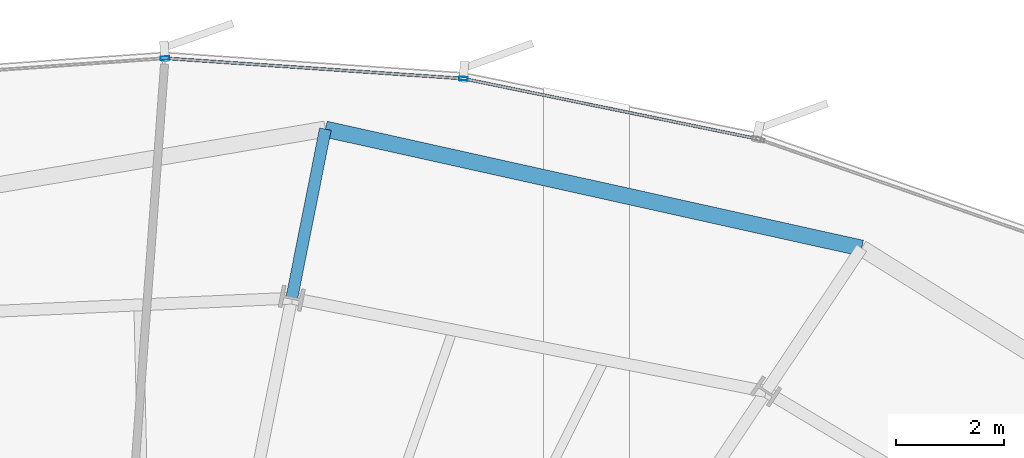
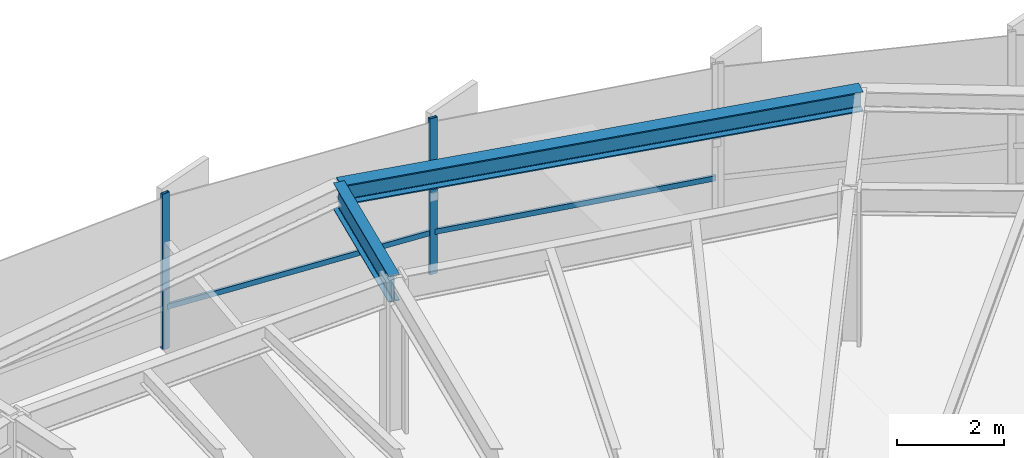
# One storey, part 27 of 38: 4 members, 2 beams, 1 element without a shape of its own.
"""IFC4 building model written with IfcOpenShell, lengths in metres."""

from ifc_helpers import new_model, si_unit, direction, frame, origin, origin_2d, place, context, subcontext, project, spatial, hollow_rectangle, i_section, extrude, source, transform, mapped, material, layer, layer_set, material_profile, profile_set, type_object, element, aggregate, save


model = new_model("IFC4")

# Units and contexts
model_context = context("Model", 3, precision=1e-05, world=origin(), true_north=direction((0.0, 1.0)))
body_context = subcontext(model_context, "Body", "Model", "MODEL_VIEW")
ifc_project = project(units=[si_unit("LENGTHUNIT", "METRE"), si_unit("AREAUNIT", "SQUARE_METRE"), si_unit("VOLUMEUNIT", "CUBIC_METRE"), si_unit("PLANEANGLEUNIT", "RADIAN"), si_unit("MASSUNIT", "GRAM", prefix="KILO"), si_unit("THERMODYNAMICTEMPERATUREUNIT", "KELVIN")], contexts=[model_context])

# Site, building, storey
site_placement = place(None, origin())
site = spatial("IfcSite", under=ifc_project, at=site_placement, CompositionType="ELEMENT")
building_placement = place(site_placement, origin())
building = spatial("IfcBuilding", under=site, at=building_placement, Name="Kethvar Cultural Tower", CompositionType="ELEMENT")
storey_placement = place(building_placement, frame((0.0, 0.0, 63.800048828125)))
storey = spatial("IfcBuildingStorey", under=building, at=storey_placement, Name="L15", CompositionType="ELEMENT", Elevation=63.800048828125)

# Beams
ifc_material_1 = material(Name="Steel S355J2", Category="steel")
ifc_material_profile_1 = material_profile(ifc_material_1, i_section(OverallWidth=0.219970703125, OverallDepth=0.60009765625, WebThickness=0.011962890625, FlangeThickness=0.01904296875, FilletRadius=0.02392578125, at=origin_2d()), Name="Steel S355J2 — IPE600")
ifc_profile_set_1 = profile_set([ifc_material_profile_1], Name="Steel S355J2 — IPE600")
beam_type_1 = type_object("IfcBeamType", Name="BM-IPE600", PredefinedType="BEAM", material=ifc_profile_set_1)
shared_shape_1 = source(origin(), body_context, "Body", "SweptSolid", [
    extrude(i_section(OverallWidth=0.219970703125, OverallDepth=0.60009765625, WebThickness=0.011962890625, FlangeThickness=0.01904296875, FilletRadius=0.02392578125, at=origin_2d()), origin(), (0.0, 0.0, 1.0), 3.199951171875),
])
beam_1_placement = place(storey_placement, frame((51.022216796875, 49.02587890625, 3.248046875), z_axis=(0.195088965533, 0.980785550224, 0.0), x_axis=(-0.980785550224, 0.195088965533, 0.0)))
element("IfcBeam", 1, at=beam_1_placement, inside=storey, type_object=beam_type_1, Name="L15 Perimeter Cantilever Beam RC-04", PredefinedType="BEAM", context=body_context, shape_type="MappedRepresentation", body=[
    mapped(shared_shape_1, transform((0.0, 0.0, 0.0), scale=1.0)),
])
ifc_material_profile_2 = material_profile(ifc_material_1, i_section(OverallWidth=0.300048828125, OverallDepth=0.449951171875, WebThickness=0.013916015625, FlangeThickness=0.02587890625, FilletRadius=0.027099609375, at=origin_2d()), Name="Steel S355J2 — HEB450")
ifc_profile_set_2 = profile_set([ifc_material_profile_2], Name="Steel S355J2 — HEB450")
beam_type_2 = type_object("IfcBeamType", Name="BM-SP450", PredefinedType="SPANDREL", material=ifc_profile_set_2)
shared_shape_2 = source(origin(), body_context, "Body", "SweptSolid", [
    extrude(i_section(OverallWidth=0.300048828125, OverallDepth=0.449951171875, WebThickness=0.013916015625, FlangeThickness=0.02587890625, FilletRadius=0.027099609375, at=origin_2d()), origin(), (0.0, 0.0, 1.0), 10.19873046875),
])
beam_2_placement = place(storey_placement, frame((61.602783203125, 49.9541015625, 3.322998046875), z_axis=(-0.976234913358, 0.216715006268, 0.0), x_axis=(-0.216715006268, -0.976234913358, 0.0)))
element("IfcBeam", 2, at=beam_2_placement, inside=storey, type_object=beam_type_2, Name="L15 Perimeter Spandrel Beam SP-03", PredefinedType="SPANDREL", context=body_context, shape_type="MappedRepresentation", body=[
    mapped(shared_shape_2, transform((0.0, 0.0, 0.0), scale=1.0)),
])

# Curtain wall, members
ifc_material_2 = material(Name="Aluminium 6063-T6", Category="aluminium")
ifc_layer = layer(ifc_material_2, 0.179931640625, Name="Aluminium 6063-T6", Category="aluminium")
ifc_layer_set = layer_set([ifc_layer], Name="Aluminium 6063-T6 (180 mm)")
curtain_wall_type = type_object("IfcCurtainWallType", Name="CW-SYS-02-Z1", PredefinedType="NOTDEFINED", material=ifc_layer_set)
curtain_wall_placement = place(storey_placement, origin())
curtain_wall = element("IfcCurtainWall", 3, at=curtain_wall_placement, inside=storey, type_object=curtain_wall_type, Name="L15 Curtain Wall Run 02", PredefinedType="NOTDEFINED")
ifc_material_profile_3 = material_profile(ifc_material_2, hollow_rectangle(XDim=0.06494140625, YDim=0.159912109375, WallThickness=0.0048828125, at=origin_2d()), Name="Aluminium 6063-T6 — RHS160x65x5")
ifc_profile_set_3 = profile_set([ifc_material_profile_3], Name="Aluminium 6063-T6 — RHS160x65x5")
member_type_1 = type_object("IfcMemberType", Name="CW-SYS-02-Z1-MUL", PredefinedType="MULLION", material=ifc_profile_set_3)
shared_shape_3 = source(origin(), body_context, "Body", "SweptSolid", [
    extrude(hollow_rectangle(XDim=0.06494140625, YDim=0.159912109375, WallThickness=0.0048828125, at=origin_2d()), origin(), (0.0, 0.0, 1.0), 3.550048828125),
])
member_1_placement = place(storey_placement, frame((54.209716796875, 53.10205078125, 0.0), z_axis=(0.0, 0.0, 1.0), x_axis=(-0.068015290665, -0.997684278836, 0.0)))
member_1 = element("IfcMember", 4, at=member_1_placement, type_object=member_type_1, Name="CW-L15-R02 Mullion 2", PredefinedType="MULLION", context=body_context, shape_type="MappedRepresentation", body=[
    mapped(shared_shape_3, transform((0.0, 0.0, 0.0), scale=1.0)),
])
member_2_placement = place(storey_placement, frame((48.6689453125, 53.48095703125, 0.0), z_axis=(0.0, 0.0, 1.0), x_axis=(0.070243967156, -0.997529841698, 0.0)))
member_2 = element("IfcMember", 5, at=member_2_placement, type_object=member_type_1, Name="CW-L15-R02 Mullion 3", PredefinedType="MULLION", context=body_context, shape_type="MappedRepresentation", body=[
    mapped(shared_shape_3, transform((0.0, 0.0, 0.0), scale=1.0)),
])
ifc_material_profile_4 = material_profile(ifc_material_2, hollow_rectangle(XDim=0.054931640625, YDim=0.1201171875, WallThickness=0.00390625, at=origin_2d()), Name="Aluminium 6063-T6 — RHS120x55x4")
ifc_profile_set_4 = profile_set([ifc_material_profile_4], Name="Aluminium 6063-T6 — RHS120x55x4")
member_type_2 = type_object("IfcMemberType", Name="CW-SYS-02-Z1-TRN", PredefinedType="USERDEFINED", material=ifc_profile_set_4)
shared_shape_4 = source(origin(), body_context, "Body", "SweptSolid", [
    extrude(hollow_rectangle(XDim=0.054931640625, YDim=0.1201171875, WallThickness=0.00390625, at=origin_2d()), origin(), (0.0, 0.0, 1.0), 5.52294921875),
])
member_3_placement = place(storey_placement, frame((59.650146484375, 51.986328125, 0.949951171875), z_axis=(-0.979655321702, 0.2006874452, 0.0), x_axis=(-0.2006874452, -0.979655321702, 0.0)))
member_3 = element("IfcMember", 6, at=member_3_placement, type_object=member_type_2, Name="CW-L15-R02 Transom 1", ObjectType="TRANSOM", PredefinedType="USERDEFINED", context=body_context, shape_type="MappedRepresentation", body=[
    mapped(shared_shape_4, transform((0.0, 0.0, 0.0), scale=1.0)),
])
shared_shape_5 = source(origin(), body_context, "Body", "SweptSolid", [
    extrude(hollow_rectangle(XDim=0.054931640625, YDim=0.1201171875, WallThickness=0.00390625, at=origin_2d()), origin(), (0.0, 0.0, 1.0), 5.476318359375),
])
member_4_placement = place(storey_placement, frame((54.162841796875, 53.105224609375, 0.949951171875), z_axis=(-0.997683211317, 0.068030947785, 0.0), x_axis=(-0.068030947785, -0.997683211317, 0.0)))
member_4 = element("IfcMember", 7, at=member_4_placement, type_object=member_type_2, Name="CW-L15-R02 Transom 2", ObjectType="TRANSOM", PredefinedType="USERDEFINED", context=body_context, shape_type="MappedRepresentation", body=[
    mapped(shared_shape_5, transform((0.0, 0.0, 0.0), scale=1.0)),
])
aggregate(curtain_wall, [member_1, member_2, member_3, member_4])

save(model, "model.ifc")
